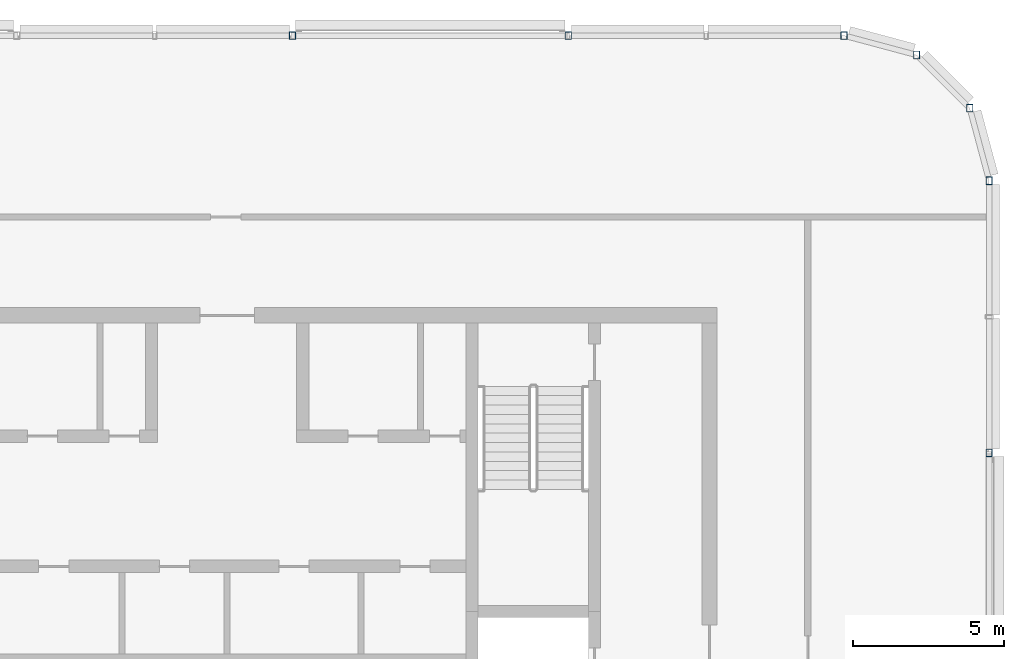
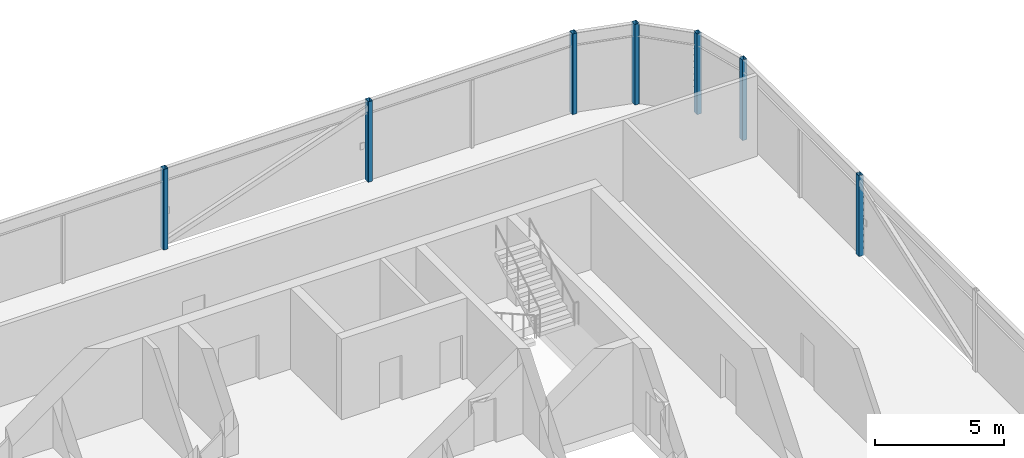
# One storey, part 4 of 28: 7 columns.
"""IFC4 building model written with IfcOpenShell, lengths in metres."""

from ifc_helpers import new_model, si_unit, direction, frame, origin, origin_2d, place, context, subcontext, project, spatial, hollow_rectangle, extrude, material, material_profile, profile_set, type_object, element, save


model = new_model("IFC4")

# Units and contexts
model_context = context("Model", 3, precision=1e-05, world=origin(), true_north=direction((0.0, 1.0)))
body_context = subcontext(model_context, "Body", "Model", "MODEL_VIEW")
ifc_project = project(units=[si_unit("LENGTHUNIT", "METRE"), si_unit("AREAUNIT", "SQUARE_METRE"), si_unit("VOLUMEUNIT", "CUBIC_METRE"), si_unit("PLANEANGLEUNIT", "RADIAN"), si_unit("MASSUNIT", "GRAM", prefix="KILO")], contexts=[model_context])

# Site, building, storey
site_placement = place(None, origin())
site = spatial("IfcSite", under=ifc_project, at=site_placement, CompositionType="ELEMENT")
building_placement = place(site_placement, origin())
building = spatial("IfcBuilding", under=site, at=building_placement, Name="Madar Terraces", CompositionType="ELEMENT")
storey_placement = place(building_placement, frame((0.0, 0.0, 310.10009765625)))
storey = spatial("IfcBuildingStorey", under=building, at=storey_placement, Name="L80", CompositionType="ELEMENT", Elevation=310.10009765625)

# Columns
ifc_material = material(Name="Steel ASTM A500 Grade C", Category="steel")
ifc_material_profile = material_profile(ifc_material, hollow_rectangle(XDim=0.203125, YDim=0.25390625, WallThickness=0.009521484375, InnerFilletRadius=0.00439453125, OuterFilletRadius=0.01318359375, at=origin_2d()), Name="HSS10x8x.375")
ifc_profile_set = profile_set([ifc_material_profile], Name="Steel ASTM A500 Grade C")
column_type = type_object("IfcColumnType", Name="CF1 HSS10x8x.375", PredefinedType="COLUMN", material=ifc_profile_set)
for number, where, z_axis, x_axis, name in (
    (1, (56.39990234375, 33.0, 0.0), (0.0, 0.0, 1.0), (1.0, 0.0, 0.0), "Crown frame column CF1"),
    (2, (56.39990234375, 42.0, 0.0), (0.0, 0.0, 1.0), (1.0, 0.0, 0.0), "Crown frame column CF1"),
    (3, (55.7568359375, 44.39990234375, 0.0), (0.0, 0.0, 1.0), (1.0, 0.0, 0.0), "Crown frame column CF1"),
    (4, (54.0, 46.156982421875, 0.0), (0.0, 0.0, 1.0), (1.0, 0.0, 0.0), "Crown frame column CF1"),
    (5, (51.60009765625, 46.800048828125, 0.0), (0.0, 0.0, 1.0), (1.0, 0.0, 0.0), "Crown frame column CF1"),
    (6, (42.47998046875, 46.800048828125, 0.0), (0.0, 0.0, 1.0), (1.0, 0.0, 0.0), "Crown frame column CF1"),
    (7, (33.360107421875, 46.800048828125, 0.0), (0.0, 0.0, 1.0), (1.0, 0.0, 0.0), "Crown frame column CF1"),
):
    element("IfcColumn", number, at=place(storey_placement, frame(where, z_axis=z_axis, x_axis=x_axis)), inside=storey, type_object=column_type, Name=name, PredefinedType="COLUMN", context=body_context, shape_type="SweptSolid", body=[
        extrude(hollow_rectangle(XDim=0.203125, YDim=0.25390625, WallThickness=0.009521484375, InnerFilletRadius=0.00439453125, OuterFilletRadius=0.01318359375, at=origin_2d()), origin(), (0.0, 0.0, 1.0), 3.7998046875),
    ])

save(model, "model.ifc")
